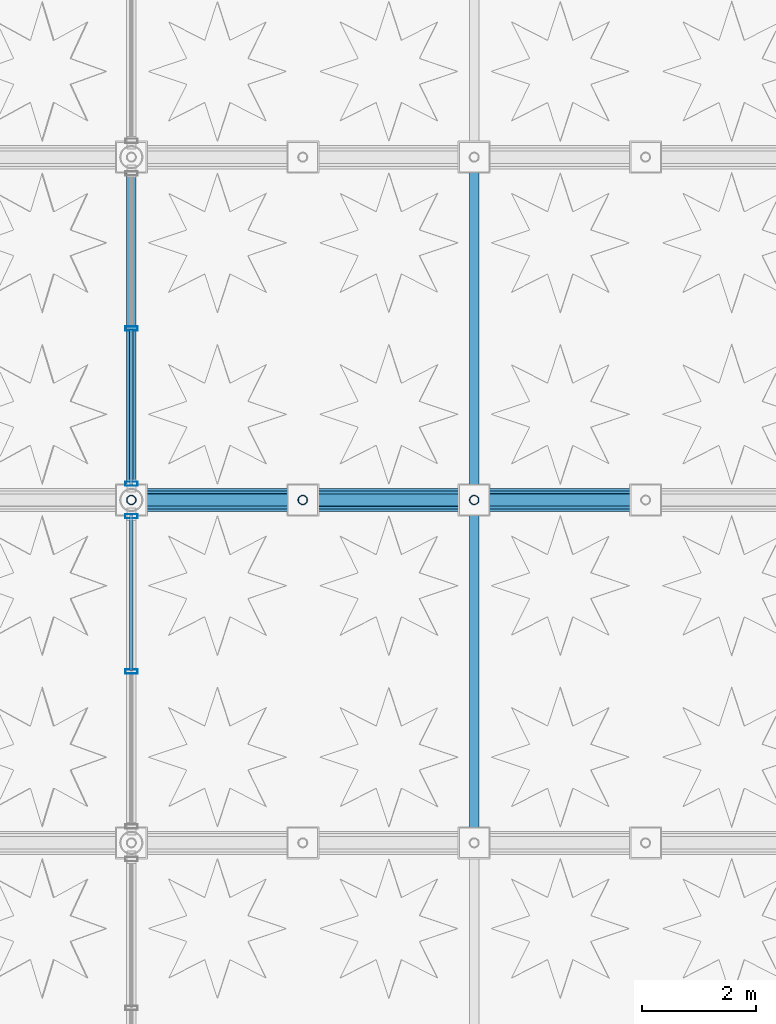
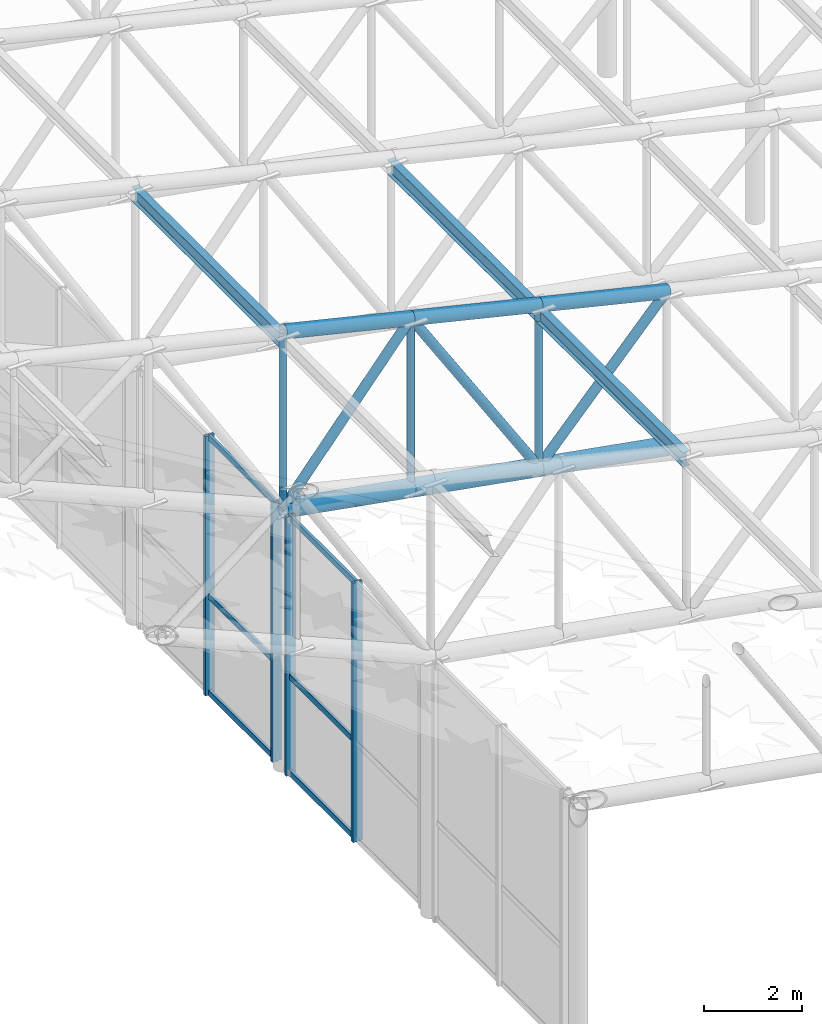
# One storey, part 28 of 112: 22 members, 3 beams, 2 elements without a shape of their own.
"""IFC4 building model written with IfcOpenShell, lengths in metres."""

from ifc_helpers import new_model, si_unit, direction, frame, origin, origin_2d, place, context, subcontext, project, spatial, hollow_rectangle, hollow_circle, i_section, extrude, material, material_profile, profile_set, type_object, element, aggregate, save


model = new_model("IFC4")

# Units and contexts
model_context = context("Model", 3, precision=1e-05, world=origin(), true_north=direction((0.0, 1.0)))
body_context = subcontext(model_context, "Body", "Model", "MODEL_VIEW")
ifc_project = project(units=[si_unit("LENGTHUNIT", "METRE"), si_unit("AREAUNIT", "SQUARE_METRE"), si_unit("VOLUMEUNIT", "CUBIC_METRE"), si_unit("PLANEANGLEUNIT", "RADIAN"), si_unit("MASSUNIT", "GRAM", prefix="KILO"), si_unit("THERMODYNAMICTEMPERATUREUNIT", "KELVIN"), si_unit("POWERUNIT", "WATT")], contexts=[model_context])

# Site, building, storey
site_placement = place(None, origin())
site = spatial("IfcSite", under=ifc_project, at=site_placement, CompositionType="ELEMENT")
building_placement = place(site_placement, origin())
building = spatial("IfcBuilding", under=site, at=building_placement, Name="Phaisarnlok Congress Hotel", CompositionType="ELEMENT")
storey_placement = place(building_placement, frame((0.0, 0.0, 19.800048828125)))
storey = spatial("IfcBuildingStorey", under=building, at=storey_placement, Name="L04", CompositionType="ELEMENT", Elevation=19.800048828125)

# Curtain wall, members
ifc_material_1 = material(Name="Thermally Broken Unitised Aluminium & Low-E Glazing", Category="aluminium")
curtain_wall_type = type_object("IfcCurtainWallType", Name="CW-UNIT-45", PredefinedType="NOTDEFINED", material=ifc_material_1)
curtain_wall_1_placement = place(storey_placement, origin())
curtain_wall_1 = element("IfcCurtainWall", 1, at=curtain_wall_1_placement, inside=storey, type_object=curtain_wall_type, Name="Unitised curtain wall CW-45 (L04)", PredefinedType="NOTDEFINED")
ifc_material_2 = material(Name="Anodised Aluminium Alloy 6063-T6", Category="aluminium")
ifc_material_profile_1 = material_profile(ifc_material_2, hollow_rectangle(XDim=0.074951171875, YDim=0.219970703125, WallThickness=0.0048828125, at=origin_2d()), Name="ALU-M 75x220x5")
ifc_profile_set_1 = profile_set([ifc_material_profile_1], Name="Anodised Aluminium Alloy 6063-T6")
member_type_1 = type_object("IfcMemberType", Name="CWM-220", PredefinedType="MULLION", material=ifc_profile_set_1)
member_1_placement = place(storey_placement, frame((120.0, 59.715087890625, -0.010009765625), z_axis=(0.0, 0.0, 1.0), x_axis=(0.0, -1.0, 0.0)))
member_1 = element("IfcMember", 2, at=member_1_placement, type_object=member_type_1, Name="Curtain wall mullion CWM-02", PredefinedType="MULLION", context=body_context, shape_type="SweptSolid", body=[
    extrude(hollow_rectangle(XDim=0.074951171875, YDim=0.219970703125, WallThickness=0.0048828125, at=origin_2d()), origin(), (0.0, 0.0, 1.0), 6.429931640625),
])
member_2_placement = place(storey_placement, frame((120.0, 57.0, -0.010009765625), z_axis=(0.0, 0.0, 1.0), x_axis=(0.0, -1.0, 0.0)))
member_2 = element("IfcMember", 3, at=member_2_placement, type_object=member_type_1, Name="Curtain wall mullion CWM-02", PredefinedType="MULLION", context=body_context, shape_type="SweptSolid", body=[
    extrude(hollow_rectangle(XDim=0.074951171875, YDim=0.219970703125, WallThickness=0.0048828125, at=origin_2d()), origin(), (0.0, 0.0, 1.0), 6.429931640625),
])

curtain_wall_2_placement = place(storey_placement, origin())
curtain_wall_2 = element("IfcCurtainWall", 4, at=curtain_wall_2_placement, inside=storey, type_object=curtain_wall_type, Name="Unitised curtain wall CW-45 (L04)", PredefinedType="NOTDEFINED")
member_3_placement = place(storey_placement, frame((120.0, 63.0, -0.010009765625), z_axis=(0.0, 0.0, 1.0), x_axis=(0.0, -1.0, 0.0)))
member_3 = element("IfcMember", 5, at=member_3_placement, type_object=member_type_1, Name="Curtain wall mullion CWM-02", PredefinedType="MULLION", context=body_context, shape_type="SweptSolid", body=[
    extrude(hollow_rectangle(XDim=0.074951171875, YDim=0.219970703125, WallThickness=0.0048828125, at=origin_2d()), origin(), (0.0, 0.0, 1.0), 6.429931640625),
])
member_4_placement = place(storey_placement, frame((120.0, 60.284912109375, -0.010009765625), z_axis=(0.0, 0.0, 1.0), x_axis=(0.0, -1.0, 0.0)))
member_4 = element("IfcMember", 6, at=member_4_placement, type_object=member_type_1, Name="Curtain wall mullion CWM-02", PredefinedType="MULLION", context=body_context, shape_type="SweptSolid", body=[
    extrude(hollow_rectangle(XDim=0.074951171875, YDim=0.219970703125, WallThickness=0.0048828125, at=origin_2d()), origin(), (0.0, 0.0, 1.0), 6.429931640625),
])

# Member
ifc_material_profile_2 = material_profile(ifc_material_2, hollow_rectangle(XDim=0.06494140625, YDim=0.139892578125, WallThickness=0.00390625, at=origin_2d()), Name="ALU-T 65x140x4")
ifc_profile_set_2 = profile_set([ifc_material_profile_2], Name="Anodised Aluminium Alloy 6063-T6")
member_type_2 = type_object("IfcMemberType", Name="CWT-150", PredefinedType="USERDEFINED", material=ifc_profile_set_2)
member_5_placement = place(storey_placement, frame((120.0, 59.739990234375, 0.0400390625), z_axis=(0.0, -1.0, 0.0), x_axis=(1.0, 0.0, 0.0)))
member_5 = element("IfcMember", 7, at=member_5_placement, type_object=member_type_2, Name="Curtain wall transom CWT-01", ObjectType="TRANSOM", PredefinedType="USERDEFINED", context=body_context, shape_type="SweptSolid", body=[
    extrude(hollow_rectangle(XDim=0.06494140625, YDim=0.139892578125, WallThickness=0.00390625, at=origin_2d()), origin(), (0.0, 0.0, 1.0), 2.72509765625),
])

member_6_placement = place(storey_placement, frame((120.0, 59.739990234375, 2.433349609375), z_axis=(0.0, -1.0, 0.0), x_axis=(1.0, 0.0, 0.0)))
member_6 = element("IfcMember", 8, at=member_6_placement, type_object=member_type_2, Name="Curtain wall transom CWT-01", ObjectType="TRANSOM", PredefinedType="USERDEFINED", context=body_context, shape_type="SweptSolid", body=[
    extrude(hollow_rectangle(XDim=0.06494140625, YDim=0.139892578125, WallThickness=0.00390625, at=origin_2d()), origin(), (0.0, 0.0, 1.0), 2.72509765625),
])

member_7_placement = place(storey_placement, frame((120.0, 59.739990234375, 6.369873046875), z_axis=(0.0, -1.0, 0.0), x_axis=(1.0, 0.0, 0.0)))
member_7 = element("IfcMember", 9, at=member_7_placement, type_object=member_type_2, Name="Curtain wall transom CWT-01", ObjectType="TRANSOM", PredefinedType="USERDEFINED", context=body_context, shape_type="SweptSolid", body=[
    extrude(hollow_rectangle(XDim=0.06494140625, YDim=0.139892578125, WallThickness=0.00390625, at=origin_2d()), origin(), (0.0, 0.0, 1.0), 2.72509765625),
])

aggregate(curtain_wall_1, [member_1, member_2, member_5, member_6, member_7])

member_8_placement = place(storey_placement, frame((120.0, 62.985107421875, 0.0400390625), z_axis=(0.0, -1.0, 0.0), x_axis=(1.0, 0.0, 0.0)))
member_8 = element("IfcMember", 10, at=member_8_placement, type_object=member_type_2, Name="Curtain wall transom CWT-01", ObjectType="TRANSOM", PredefinedType="USERDEFINED", context=body_context, shape_type="SweptSolid", body=[
    extrude(hollow_rectangle(XDim=0.06494140625, YDim=0.139892578125, WallThickness=0.00390625, at=origin_2d()), origin(), (0.0, 0.0, 1.0), 2.72509765625),
])

member_9_placement = place(storey_placement, frame((120.0, 62.985107421875, 2.433349609375), z_axis=(0.0, -1.0, 0.0), x_axis=(1.0, 0.0, 0.0)))
member_9 = element("IfcMember", 11, at=member_9_placement, type_object=member_type_2, Name="Curtain wall transom CWT-01", ObjectType="TRANSOM", PredefinedType="USERDEFINED", context=body_context, shape_type="SweptSolid", body=[
    extrude(hollow_rectangle(XDim=0.06494140625, YDim=0.139892578125, WallThickness=0.00390625, at=origin_2d()), origin(), (0.0, 0.0, 1.0), 2.72509765625),
])

member_10_placement = place(storey_placement, frame((120.0, 62.985107421875, 6.369873046875), z_axis=(0.0, -1.0, 0.0), x_axis=(1.0, 0.0, 0.0)))
member_10 = element("IfcMember", 12, at=member_10_placement, type_object=member_type_2, Name="Curtain wall transom CWT-01", ObjectType="TRANSOM", PredefinedType="USERDEFINED", context=body_context, shape_type="SweptSolid", body=[
    extrude(hollow_rectangle(XDim=0.06494140625, YDim=0.139892578125, WallThickness=0.00390625, at=origin_2d()), origin(), (0.0, 0.0, 1.0), 2.72509765625),
])

aggregate(curtain_wall_2, [member_3, member_4, member_8, member_9, member_10])

# Beams
ifc_material_3 = material(Name="Steel S355", Category="steel")
ifc_material_profile_3 = material_profile(ifc_material_3, i_section(OverallWidth=0.169921875, OverallDepth=0.360107421875, WebThickness=0.008056640625, FlangeThickness=0.0126953125, FilletRadius=0.01806640625, at=origin_2d()), Name="IPE 360")
ifc_profile_set_3 = profile_set([ifc_material_profile_3], Name="Steel S355")
beam_type = type_object("IfcBeamType", Name="JS-STL-IPE360", PredefinedType="JOIST", material=ifc_profile_set_3)
for number, where, z_axis, x_axis, name in (
    (13, (126.0, 54.0, 9.16845703125), (0.0, 1.0, 0.0), (-1.0, 0.0, 0.0), "Cloister wing roof purlin"),
    (14, (126.0, 60.0, 9.16845703125), (0.0, 1.0, 0.0), (-1.0, 0.0, 0.0), "Cloister wing roof purlin"),
    (15, (120.0, 60.0, 10.6005859375), (0.0, 1.0, 0.0), (-1.0, 0.0, 0.0), "Cloister wing roof purlin"),
):
    element("IfcBeam", number, at=place(storey_placement, frame(where, z_axis=z_axis, x_axis=x_axis)), inside=storey, type_object=beam_type, Name=name, PredefinedType="JOIST", context=body_context, shape_type="SweptSolid", body=[
        extrude(i_section(OverallWidth=0.169921875, OverallDepth=0.360107421875, WebThickness=0.008056640625, FlangeThickness=0.0126953125, FilletRadius=0.01806640625, at=origin_2d()), origin(), (0.0, 0.0, 1.0), 6.0),
    ])

# Members
ifc_material_profile_4 = material_profile(ifc_material_3, hollow_circle(Radius=0.084228515625, WallThickness=0.010009765625, at=origin_2d()), Name="CHS 168.3x10")
ifc_profile_set_4 = profile_set([ifc_material_profile_4], Name="Steel S355")
member_type_3 = type_object("IfcMemberType", Name="MEM-BRC-CHS168", PredefinedType="BRACE", material=ifc_profile_set_4)
member_11_placement = place(storey_placement, frame((126.0, 60.0, 5.333251953125), z_axis=(0.0, 0.0, 1.0), x_axis=(1.0, 0.0, 0.0)))
element("IfcMember", 16, at=member_11_placement, inside=storey, type_object=member_type_3, Name="Cloister wing roof truss vertical web", PredefinedType="BRACE", context=body_context, shape_type="SweptSolid", body=[
    extrude(hollow_circle(Radius=0.084228515625, WallThickness=0.010009765625, at=origin_2d()), origin(), (0.0, 0.0, 1.0), 4.027099609375),
])
member_12_placement = place(storey_placement, frame((123.0, 60.0, 5.86669921875), z_axis=(0.0, 0.0, 1.0), x_axis=(1.0, 0.0, 0.0)))
element("IfcMember", 17, at=member_12_placement, inside=storey, type_object=member_type_3, Name="Cloister wing roof truss vertical web", PredefinedType="BRACE", context=body_context, shape_type="SweptSolid", body=[
    extrude(hollow_circle(Radius=0.084228515625, WallThickness=0.010009765625, at=origin_2d()), origin(), (0.0, 0.0, 1.0), 4.209716796875),
])
member_13_placement = place(storey_placement, frame((120.0, 60.0, 6.39990234375), z_axis=(0.0, 0.0, 1.0), x_axis=(1.0, 0.0, 0.0)))
element("IfcMember", 18, at=member_13_placement, inside=storey, type_object=member_type_3, Name="Cloister wing roof truss vertical web", PredefinedType="BRACE", context=body_context, shape_type="SweptSolid", body=[
    extrude(hollow_circle(Radius=0.084228515625, WallThickness=0.010009765625, at=origin_2d()), origin(), (0.0, 0.0, 1.0), 4.392578125),
])
ifc_material_profile_5 = material_profile(ifc_material_3, hollow_circle(Radius=0.109619140625, WallThickness=0.012451171875, at=origin_2d()), Name="CHS 219.1x12.5")
ifc_profile_set_5 = profile_set([ifc_material_profile_5], Name="Steel S355")
member_type_4 = type_object("IfcMemberType", Name="MEM-BRC-CHS219", PredefinedType="BRACE", material=ifc_profile_set_5)
member_14_placement = place(storey_placement, frame((126.0, 60.0, 5.333251953125), z_axis=(0.671442541254, 0.0, 0.741056619831), x_axis=(0.0, 1.0, 0.0)))
element("IfcMember", 19, at=member_14_placement, inside=storey, type_object=member_type_4, Name="Cloister wing roof truss diagonal brace", PredefinedType="BRACE", context=body_context, shape_type="SweptSolid", body=[
    extrude(hollow_circle(Radius=0.109619140625, WallThickness=0.012451171875, at=origin_2d()), origin(), (0.0, 0.0, 1.0), 4.468017578125),
])
member_15_placement = place(storey_placement, frame((126.0, 60.0, 5.333251953125), z_axis=(-0.534542802575, 0.0, 0.845141403681), x_axis=(0.0, -1.0, 0.0)))
element("IfcMember", 20, at=member_15_placement, inside=storey, type_object=member_type_4, Name="Cloister wing roof truss diagonal brace", PredefinedType="BRACE", context=body_context, shape_type="SweptSolid", body=[
    extrude(hollow_circle(Radius=0.109619140625, WallThickness=0.012451171875, at=origin_2d()), origin(), (0.0, 0.0, 1.0), 5.6123046875),
])
member_16_placement = place(storey_placement, frame((120.0, 60.0, 6.39990234375), z_axis=(0.632220210367, 0.0, 0.774788749017), x_axis=(0.0, 1.0, 0.0)))
element("IfcMember", 21, at=member_16_placement, inside=storey, type_object=member_type_4, Name="Cloister wing roof truss diagonal brace", PredefinedType="BRACE", context=body_context, shape_type="SweptSolid", body=[
    extrude(hollow_circle(Radius=0.109619140625, WallThickness=0.012451171875, at=origin_2d()), origin(), (0.0, 0.0, 1.0), 4.7451171875),
])
ifc_material_profile_6 = material_profile(ifc_material_3, hollow_circle(Radius=0.161865234375, WallThickness=0.01611328125, at=origin_2d()), Name="CHS 323.9x16")
ifc_profile_set_6 = profile_set([ifc_material_profile_6], Name="Steel S355")
member_type_5 = type_object("IfcMemberType", Name="MEM-CHD-CHS324", PredefinedType="CHORD", material=ifc_profile_set_6)
for number, where, z_axis, x_axis, name in (
    (22, (129.0, 60.0, 8.644287109375), (-0.972676115692, 0.0, 0.232166263617), (0.0, -1.0, 0.0), "Cloister wing roof truss top chord"),
    (23, (126.0, 60.0, 9.3603515625), (-0.972676115692, 0.0, 0.232166263617), (0.0, -1.0, 0.0), "Cloister wing roof truss top chord"),
    (24, (123.0, 60.0, 10.076416015625), (-0.972676115692, 0.0, 0.232166263617), (0.0, -1.0, 0.0), "Cloister wing roof truss top chord"),
):
    element("IfcMember", number, at=place(storey_placement, frame(where, z_axis=z_axis, x_axis=x_axis)), inside=storey, type_object=member_type_5, Name=name, PredefinedType="CHORD", context=body_context, shape_type="SweptSolid", body=[
        extrude(hollow_circle(Radius=0.161865234375, WallThickness=0.01611328125, at=origin_2d()), origin(), (0.0, 0.0, 1.0), 3.084228515625),
    ])
ifc_material_profile_7 = material_profile(ifc_material_3, hollow_circle(Radius=0.203125, WallThickness=0.02001953125, at=origin_2d()), Name="CHS 406.4x20")
ifc_profile_set_7 = profile_set([ifc_material_profile_7], Name="Steel S355")
member_type_6 = type_object("IfcMemberType", Name="MEM-CHD-CHS406", PredefinedType="CHORD", material=ifc_profile_set_7)
for number, where, z_axis, x_axis, name in (
    (25, (129.0, 60.0, 4.800048828125), (-0.984569871158, 0.0, 0.174991910694), (0.0, -1.0, 0.0), "Cloister wing roof truss bottom chord"),
    (26, (126.0, 60.0, 5.333251953125), (-0.984556063496, 0.0, 0.175069579976), (0.0, -1.0, 0.0), "Cloister wing roof truss bottom chord"),
    (27, (123.0, 60.0, 5.86669921875), (-0.984569871158, 0.0, 0.174991910694), (0.0, -1.0, 0.0), "Cloister wing roof truss bottom chord"),
):
    element("IfcMember", number, at=place(storey_placement, frame(where, z_axis=z_axis, x_axis=x_axis)), inside=storey, type_object=member_type_6, Name=name, PredefinedType="CHORD", context=body_context, shape_type="SweptSolid", body=[
        extrude(hollow_circle(Radius=0.203125, WallThickness=0.02001953125, at=origin_2d()), origin(), (0.0, 0.0, 1.0), 3.047119140625),
    ])

save(model, "model.ifc")
